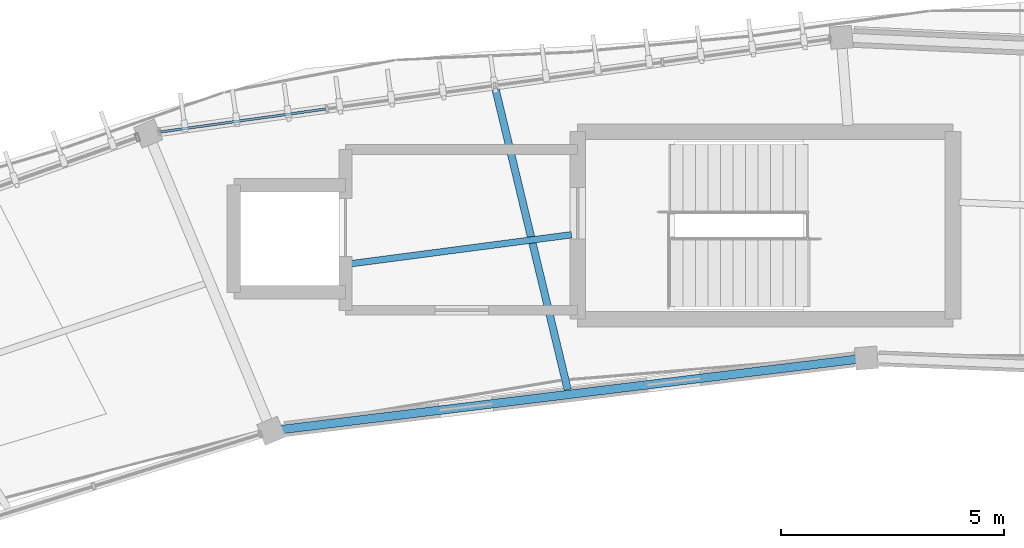
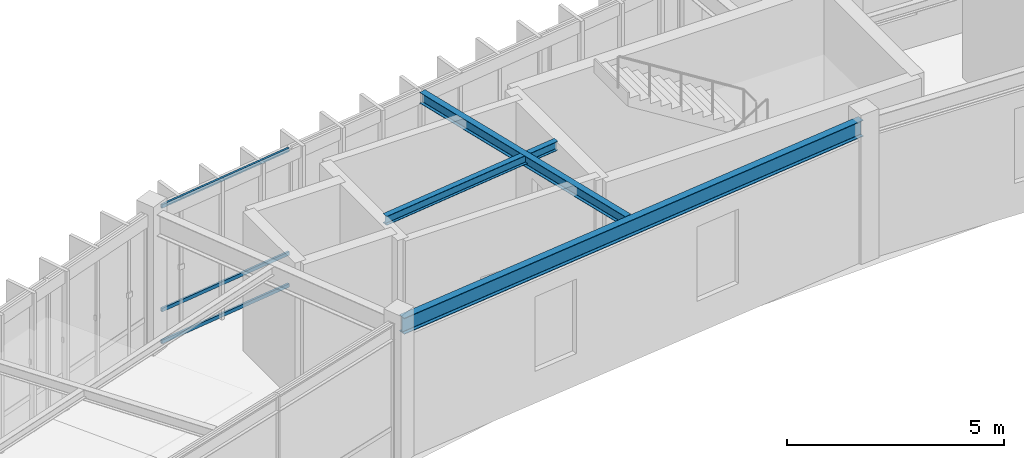
# One storey, part 35 of 78: 3 beams, 3 members, 1 element without a shape of its own.
"""IFC4 building model written with IfcOpenShell, lengths in metres."""

from ifc_helpers import new_model, si_unit, direction, frame, origin, origin_2d, place, context, subcontext, project, spatial, hollow_rectangle, i_section, extrude, material, material_profile, profile_set, type_object, element, aggregate, save


model = new_model("IFC4")

# Units and contexts
model_context = context("Model", 3, precision=1e-05, world=origin(), true_north=direction((0.0, 1.0)))
body_context = subcontext(model_context, "Body", "Model", "MODEL_VIEW")
ifc_project = project(units=[si_unit("LENGTHUNIT", "METRE"), si_unit("AREAUNIT", "SQUARE_METRE"), si_unit("VOLUMEUNIT", "CUBIC_METRE"), si_unit("PLANEANGLEUNIT", "RADIAN"), si_unit("MASSUNIT", "GRAM", prefix="KILO"), si_unit("THERMODYNAMICTEMPERATUREUNIT", "KELVIN"), si_unit("POWERUNIT", "WATT")], contexts=[model_context])

# Site, building, storey
site_placement = place(None, origin())
site = spatial("IfcSite", under=ifc_project, at=site_placement, CompositionType="ELEMENT")
building_placement = place(site_placement, origin())
building = spatial("IfcBuilding", under=site, at=building_placement, Name="Darbajah Civic Hall", CompositionType="ELEMENT")
storey_placement = place(building_placement, frame((0.0, 0.0, 26.39990234375)))
storey = spatial("IfcBuildingStorey", under=building, at=storey_placement, Name="L06", CompositionType="ELEMENT", Elevation=26.39990234375)

# Curtain wall, members
ifc_material_1 = material(Name="Anodised Bronze Aluminium and Low-E Glazing", Category="aluminium")
curtain_wall_type = type_object("IfcCurtainWallType", Name="Unitised Curtain Wall CW-32 15200x3900", PredefinedType="USERDEFINED", material=ifc_material_1)
curtain_wall_placement = place(storey_placement, origin())
curtain_wall = element("IfcCurtainWall", 1, at=curtain_wall_placement, inside=storey, type_object=curtain_wall_type, Name="L06 unitised curtain wall CW-V1O-L06-05", ObjectType="UNITISED CURTAIN WALL", PredefinedType="USERDEFINED")
ifc_material_2 = material(Name="Anodised Bronze Aluminium", Category="aluminium")
ifc_material_profile_1 = material_profile(ifc_material_2, hollow_rectangle(XDim=0.054931640625, YDim=0.10009765625, WallThickness=0.0029296875, at=origin_2d()), Name="ALU TRANSOM 55x100")
ifc_profile_set_1 = profile_set([ifc_material_profile_1], Name="Anodised Bronze Aluminium")
member_type = type_object("IfcMemberType", Name="ALU TRANSOM 55x100", PredefinedType="USERDEFINED", material=ifc_profile_set_1)
member_1_placement = place(storey_placement, frame((73.5546875, 117.60595703125, 0.050048828125), z_axis=(-0.990492521242, -0.137566585197, 0.0), x_axis=(0.137566585197, -0.990492521242, 0.0)))
member_1 = element("IfcMember", 2, at=member_1_placement, type_object=member_type, Name="CW-V1O-L06-05 transom 4.1", ObjectType="TRANSOM", PredefinedType="USERDEFINED", context=body_context, shape_type="SweptSolid", body=[
    extrude(hollow_rectangle(XDim=0.054931640625, YDim=0.10009765625, WallThickness=0.0029296875, at=origin_2d()), origin(), (0.0, 0.0, 1.0), 3.72509765625),
])
member_2_placement = place(storey_placement, frame((73.5546875, 117.60595703125, 0.9501953125), z_axis=(-0.990492521242, -0.137566585197, 0.0), x_axis=(0.137566585197, -0.990492521242, 0.0)))
member_2 = element("IfcMember", 3, at=member_2_placement, type_object=member_type, Name="CW-V1O-L06-05 transom 4.2", ObjectType="TRANSOM", PredefinedType="USERDEFINED", context=body_context, shape_type="SweptSolid", body=[
    extrude(hollow_rectangle(XDim=0.054931640625, YDim=0.10009765625, WallThickness=0.0029296875, at=origin_2d()), origin(), (0.0, 0.0, 1.0), 3.72509765625),
])
member_3_placement = place(storey_placement, frame((73.5546875, 117.60595703125, 3.8701171875), z_axis=(-0.990492521242, -0.137566585197, 0.0), x_axis=(0.137566585197, -0.990492521242, 0.0)))
member_3 = element("IfcMember", 4, at=member_3_placement, type_object=member_type, Name="CW-V1O-L06-05 transom 4.3", ObjectType="TRANSOM", PredefinedType="USERDEFINED", context=body_context, shape_type="SweptSolid", body=[
    extrude(hollow_rectangle(XDim=0.054931640625, YDim=0.10009765625, WallThickness=0.0029296875, at=origin_2d()), origin(), (0.0, 0.0, 1.0), 3.72509765625),
])
aggregate(curtain_wall, [member_1, member_2, member_3])

# Beams
ifc_material_3 = material(Name="Steel S355JR", Category="steel")
ifc_material_profile_2 = material_profile(ifc_material_3, i_section(OverallWidth=0.146484375, OverallDepth=0.256103515625, WebThickness=0.00634765625, FlangeThickness=0.010986328125, FilletRadius=0.007568359375, at=origin_2d()), Name="UB 254x146x37")
ifc_profile_set_2 = profile_set([ifc_material_profile_2], Name="Steel S355JR")
beam_type_1 = type_object("IfcBeamType", Name="UB 254x146x37", PredefinedType="JOIST", material=ifc_profile_set_2)
beam_1_placement = place(storey_placement, frame((79.06005859375, 114.791015625, 3.7919921875), z_axis=(-0.991500932095, -0.130099583607, 0.0), x_axis=(0.130099583607, -0.991500932095, 0.0)))
element("IfcBeam", 5, at=beam_1_placement, inside=storey, type_object=beam_type_1, Name="L06 beam SJ-254", PredefinedType="JOIST", context=body_context, shape_type="SweptSolid", body=[
    extrude(i_section(OverallWidth=0.146484375, OverallDepth=0.256103515625, WebThickness=0.00634765625, FlangeThickness=0.010986328125, FilletRadius=0.007568359375, at=origin_2d()), origin(), (0.0, 0.0, 1.0), 4.982177734375),
])
ifc_material_profile_3 = material_profile(ifc_material_3, i_section(OverallWidth=0.165771484375, OverallDepth=0.306640625, WebThickness=0.006591796875, FlangeThickness=0.01171875, FilletRadius=0.0087890625, at=origin_2d()), Name="UB 305x165x46")
ifc_profile_set_3 = profile_set([ifc_material_profile_3], Name="Steel S355JR")
beam_type_2 = type_object("IfcBeamType", Name="UB 305x165x46", PredefinedType="JOIST", material=ifc_profile_set_3)
beam_2_placement = place(storey_placement, frame((78.976318359375, 111.320068359375, 3.766845703125), z_axis=(-0.233446518106, 0.972369643286, 0.0), x_axis=(-0.972369643286, -0.233446518106, 0.0)))
element("IfcBeam", 6, at=beam_2_placement, inside=storey, type_object=beam_type_2, Name="L06 beam SJ-305", PredefinedType="JOIST", context=body_context, shape_type="SweptSolid", body=[
    extrude(i_section(OverallWidth=0.165771484375, OverallDepth=0.306640625, WebThickness=0.006591796875, FlangeThickness=0.01171875, FilletRadius=0.0087890625, at=origin_2d()), origin(), (0.0, 0.0, 1.0), 6.9033203125),
])
ifc_material_profile_4 = material_profile(ifc_material_3, i_section(OverallWidth=0.1904296875, OverallDepth=0.45703125, WebThickness=0.009033203125, FlangeThickness=0.014404296875, FilletRadius=0.01025390625, at=origin_2d()), Name="UB 457x191x74")
ifc_profile_set_4 = profile_set([ifc_material_profile_4], Name="Steel S355JR")
beam_type_3 = type_object("IfcBeamType", Name="UB 457x191x74", PredefinedType="BEAM", material=ifc_profile_set_4)
beam_3_placement = place(storey_placement, frame((85.583984375, 112.021484375, 3.691650390625), z_axis=(-0.992611744559, -0.121333938216, 0.0), x_axis=(0.121333938216, -0.992611744559, 0.0)))
element("IfcBeam", 7, at=beam_3_placement, inside=storey, type_object=beam_type_3, Name="L06 beam SB-457", PredefinedType="BEAM", context=body_context, shape_type="SweptSolid", body=[
    extrude(i_section(OverallWidth=0.1904296875, OverallDepth=0.45703125, WebThickness=0.009033203125, FlangeThickness=0.014404296875, FilletRadius=0.01025390625, at=origin_2d()), origin(), (0.0, 0.0, 1.0), 13.263916015625),
])

save(model, "model.ifc")
